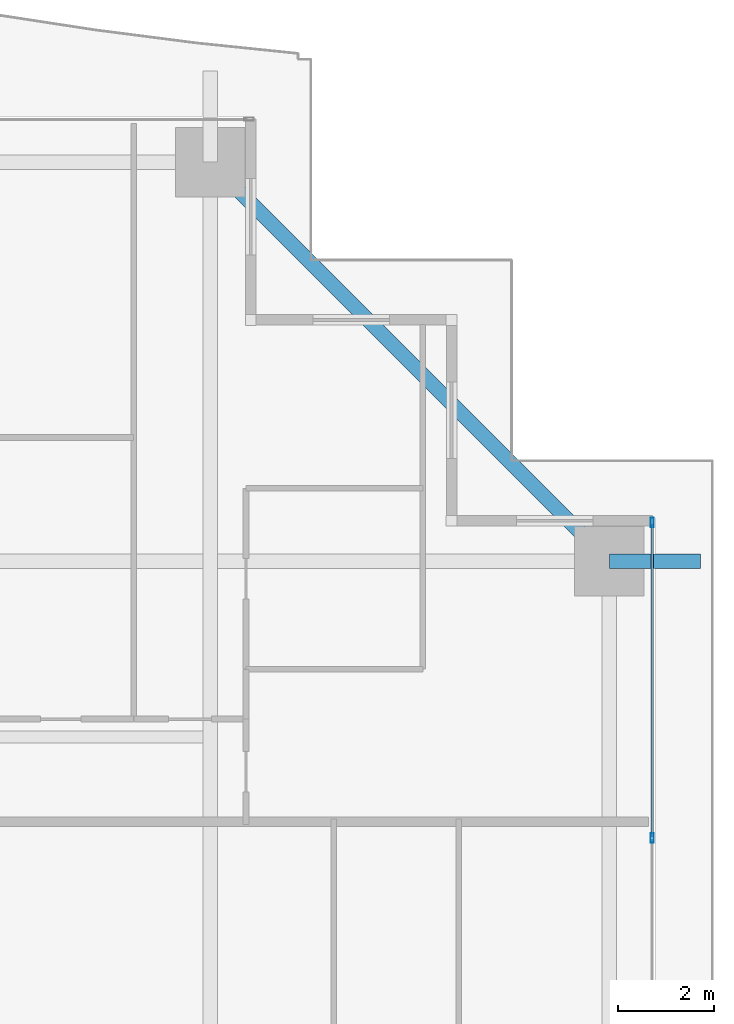
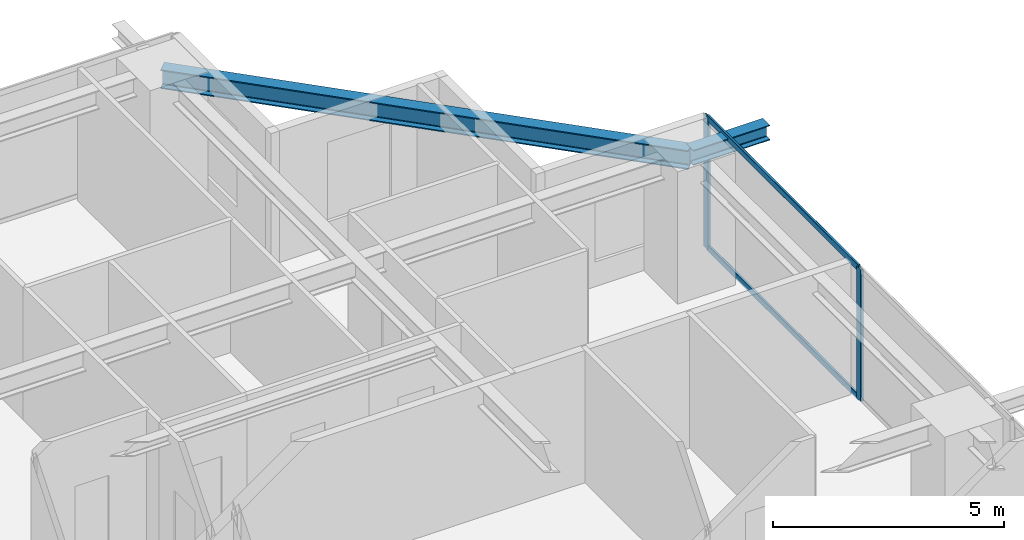
# One storey, part 20 of 36: 4 members, 2 beams, 1 element without a shape of its own.
"""IFC4 building model written with IfcOpenShell, lengths in metres."""

from ifc_helpers import new_model, si_unit, direction, frame, origin, origin_2d, place, context, subcontext, project, spatial, hollow_rectangle, i_section, extrude, source, transform, mapped, material, layer, layer_set, material_profile, profile_set, type_object, element, aggregate, save


model = new_model("IFC4")

# Units and contexts
model_context = context("Model", 3, precision=1e-05, world=origin(), true_north=direction((0.0, 1.0)))
body_context = subcontext(model_context, "Body", "Model", "MODEL_VIEW")
ifc_project = project(units=[si_unit("LENGTHUNIT", "METRE"), si_unit("AREAUNIT", "SQUARE_METRE"), si_unit("VOLUMEUNIT", "CUBIC_METRE"), si_unit("PLANEANGLEUNIT", "RADIAN"), si_unit("MASSUNIT", "GRAM", prefix="KILO")], contexts=[model_context])

# Site, building, storey
site_placement = place(None, origin())
site = spatial("IfcSite", under=ifc_project, at=site_placement, CompositionType="ELEMENT")
building_placement = place(site_placement, origin())
building = spatial("IfcBuilding", under=site, at=building_placement, Name="Serunith Strait Residences", CompositionType="ELEMENT")
storey_placement = place(building_placement, frame((0.0, 0.0, 41.699951171875)))
storey = spatial("IfcBuildingStorey", under=building, at=storey_placement, Name="L09", CompositionType="ELEMENT", Elevation=41.699951171875)

# Beams
ifc_material_1 = material(Name="Steel S355J2", Category="steel")
ifc_material_profile_1 = material_profile(ifc_material_1, i_section(OverallWidth=0.300048828125, OverallDepth=0.5, WebThickness=0.014404296875, FlangeThickness=0.028076171875, FilletRadius=0.027099609375, at=origin_2d()), Name="HEB 500")
ifc_profile_set_1 = profile_set([ifc_material_profile_1], Name="Steel S355J2")
beam_type_1 = type_object("IfcBeamType", Name="BM-HEB500", PredefinedType="BEAM", material=ifc_profile_set_1)
shared_shape_1 = source(origin(), body_context, "Body", "SweptSolid", [
    extrude(i_section(OverallWidth=0.300048828125, OverallDepth=0.5, WebThickness=0.014404296875, FlangeThickness=0.028076171875, FilletRadius=0.027099609375, at=origin_2d()), origin(), (0.0, 0.0, 1.0), 11.80859375),
])
beam_1_placement = place(storey_placement, frame((57.89990234375, 40.949951171875, 3.20703125), z_axis=(-0.707096443746, 0.707117118476, 0.0), x_axis=(-0.707117118476, -0.707096443746, 0.0)))
element("IfcBeam", 1, at=beam_1_placement, inside=storey, type_object=beam_type_1, Name="L09 Perimeter Ring Beam 08", PredefinedType="BEAM", context=body_context, shape_type="MappedRepresentation", body=[
    mapped(shared_shape_1, transform((0.0, 0.0, 0.0), scale=1.0)),
])
ifc_material_profile_2 = material_profile(ifc_material_1, i_section(OverallWidth=0.300048828125, OverallDepth=0.39990234375, WebThickness=0.013427734375, FlangeThickness=0.02392578125, FilletRadius=0.027099609375, at=origin_2d()), Name="HEB 400")
ifc_profile_set_2 = profile_set([ifc_material_profile_2], Name="Steel S355J2")
beam_type_2 = type_object("IfcBeamType", Name="BM-HEB400", PredefinedType="BEAM", material=ifc_profile_set_2)
shared_shape_2 = source(origin(), body_context, "Body", "SweptSolid", [
    extrude(i_section(OverallWidth=0.300048828125, OverallDepth=0.39990234375, WebThickness=0.013427734375, FlangeThickness=0.02392578125, FilletRadius=0.027099609375, at=origin_2d()), origin(), (0.0, 0.0, 1.0), 1.91015625),
])
beam_2_placement = place(storey_placement, frame((57.89990234375, 40.949951171875, 3.257080078125), z_axis=(1.0, 0.0, 0.0), x_axis=(0.0, 1.0, 0.0)))
element("IfcBeam", 2, at=beam_2_placement, inside=storey, type_object=beam_type_2, Name="L10 Cantilevered Balcony Rib TC-E4", PredefinedType="BEAM", context=body_context, shape_type="MappedRepresentation", body=[
    mapped(shared_shape_2, transform((0.0, 0.0, 0.0), scale=1.0)),
])

# Curtain wall, members
ifc_material_2 = material(Name="Pale-Champagne Anodised Aluminium", Category="aluminium")
ifc_layer = layer(ifc_material_2, 0.199951171875, Name="Pale-Champagne Anodised Aluminium")
ifc_layer_set = layer_set([ifc_layer], Name="Pale-Champagne Anodised Aluminium")
curtain_wall_type = type_object("IfcCurtainWallType", Name="CW-SYS1", PredefinedType="NOTDEFINED", material=ifc_layer_set)
curtain_wall_placement = place(storey_placement, origin())
curtain_wall = element("IfcCurtainWall", 3, at=curtain_wall_placement, inside=storey, type_object=curtain_wall_type, Name="L09 E Unitised Fritted Curtain Wall", PredefinedType="NOTDEFINED")
ifc_material_profile_3 = material_profile(ifc_material_2, hollow_rectangle(XDim=0.070068359375, YDim=0.199951171875, WallThickness=0.00390625, InnerFilletRadius=0.006103515625, OuterFilletRadius=0.010009765625, at=origin_2d()), Name="ALU 200x70x4")
ifc_profile_set_3 = profile_set([ifc_material_profile_3], Name="Pale-Champagne Anodised Aluminium")
member_type_1 = type_object("IfcMemberType", Name="CW-SYS1-MULL", PredefinedType="MULLION", material=ifc_profile_set_3)
shared_shape_3 = source(origin(), body_context, "Body", "SweptSolid", [
    extrude(hollow_rectangle(XDim=0.070068359375, YDim=0.199951171875, WallThickness=0.00390625, InnerFilletRadius=0.006103515625, OuterFilletRadius=0.010009765625, at=origin_2d()), origin(), (0.0, 0.0, 1.0), 3.47509765625),
])
member_1_placement = place(storey_placement, frame((58.800048828125, 35.159912109375, 0.0), z_axis=(0.0, 0.0, 1.0), x_axis=(-1.0, 0.0, 0.0)))
member_1 = element("IfcMember", 4, at=member_1_placement, type_object=member_type_1, Name="CW-1 mullion 5", PredefinedType="MULLION", context=body_context, shape_type="MappedRepresentation", body=[
    mapped(shared_shape_3, transform((0.0, 0.0, 0.0), scale=1.0)),
])
member_2_placement = place(storey_placement, frame((58.800048828125, 41.764892578125, 0.0), z_axis=(0.0, 0.0, 1.0), x_axis=(-1.0, 0.0, 0.0)))
member_2 = element("IfcMember", 5, at=member_2_placement, type_object=member_type_1, Name="CW-1 mullion 6", PredefinedType="MULLION", context=body_context, shape_type="MappedRepresentation", body=[
    mapped(shared_shape_3, transform((0.0, 0.0, 0.0), scale=1.0)),
])
ifc_material_profile_4 = material_profile(ifc_material_2, hollow_rectangle(XDim=0.06005859375, YDim=0.159912109375, WallThickness=0.00341796875, InnerFilletRadius=0.00537109375, OuterFilletRadius=0.0087890625, at=origin_2d()), Name="ALU 160x60x3.5")
ifc_profile_set_4 = profile_set([ifc_material_profile_4], Name="Pale-Champagne Anodised Aluminium")
member_type_2 = type_object("IfcMemberType", Name="CW-SYS1-TRAN", PredefinedType="USERDEFINED", material=ifc_profile_set_4)
shared_shape_4 = source(origin(), body_context, "Body", "SweptSolid", [
    extrude(hollow_rectangle(XDim=0.06005859375, YDim=0.159912109375, WallThickness=0.00341796875, InnerFilletRadius=0.00537109375, OuterFilletRadius=0.0087890625, at=origin_2d()), origin(), (0.0, 0.0, 1.0), 6.534912109375),
])
member_3_placement = place(storey_placement, frame((58.800048828125, 35.195068359375, 0.030029296875), z_axis=(0.0, 1.0, 0.0), x_axis=(-1.0, 0.0, 0.0)))
member_3 = element("IfcMember", 6, at=member_3_placement, type_object=member_type_2, Name="CW-1 transom 5.1", ObjectType="TRANSOM", PredefinedType="USERDEFINED", context=body_context, shape_type="MappedRepresentation", body=[
    mapped(shared_shape_4, transform((0.0, 0.0, 0.0), scale=1.0)),
])
member_4_placement = place(storey_placement, frame((58.800048828125, 35.195068359375, 3.445068359375), z_axis=(0.0, 1.0, 0.0), x_axis=(-1.0, 0.0, 0.0)))
member_4 = element("IfcMember", 7, at=member_4_placement, type_object=member_type_2, Name="CW-1 transom 5.2", ObjectType="TRANSOM", PredefinedType="USERDEFINED", context=body_context, shape_type="MappedRepresentation", body=[
    mapped(shared_shape_4, transform((0.0, 0.0, 0.0), scale=1.0)),
])
aggregate(curtain_wall, [member_1, member_2, member_3, member_4])

save(model, "model.ifc")
